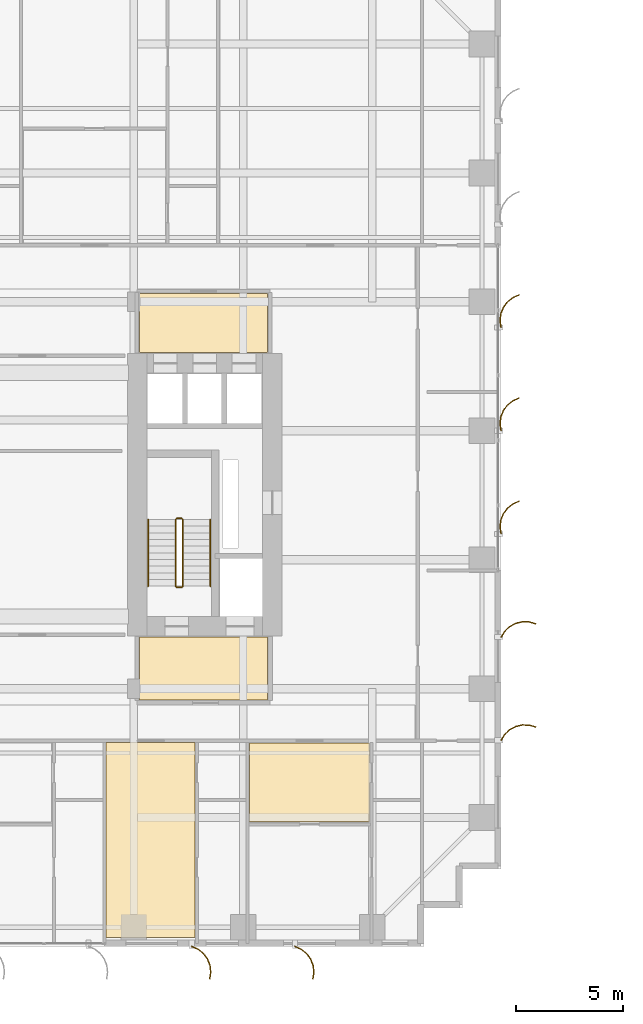
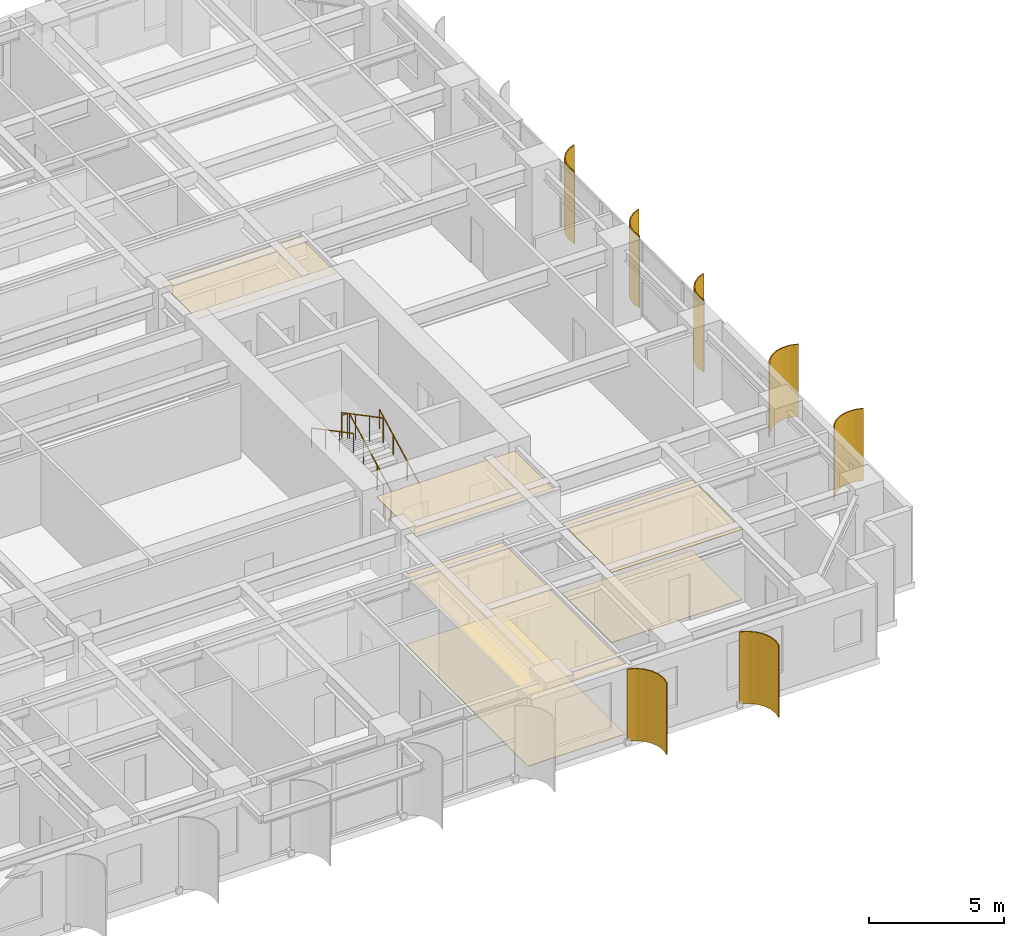
# One storey, part 25 of 26: 7 shading devices, 6 coverings, 6 railings.
"""IFC4 building model written with IfcOpenShell, lengths in metres."""

from ifc_helpers import new_model, si_unit, direction, frame, origin, origin_2d, place, context, subcontext, project, spatial, polyline, circle, outline, extrude, source, transform, mapped, material, layer, layer_set, type_object, element, save


model = new_model("IFC4")

# Units and contexts
model_context = context("Model", 3, precision=1e-05, world=origin(), true_north=direction((0.0, 1.0)))
body_context = subcontext(model_context, "Body", "Model", "MODEL_VIEW")
ifc_project = project(units=[si_unit("LENGTHUNIT", "METRE"), si_unit("AREAUNIT", "SQUARE_METRE"), si_unit("VOLUMEUNIT", "CUBIC_METRE"), si_unit("PLANEANGLEUNIT", "RADIAN"), si_unit("MASSUNIT", "GRAM", prefix="KILO")], contexts=[model_context])

# Site, building, storey
site_placement = place(None, origin())
site = spatial("IfcSite", under=ifc_project, at=site_placement, CompositionType="ELEMENT")
building_placement = place(site_placement, origin())
building = spatial("IfcBuilding", under=site, at=building_placement, Name="Khoralis Quay Care Tower", CompositionType="ELEMENT")
storey_placement = place(building_placement, frame((0.0, 0.0, 26.10009765625)))
storey = spatial("IfcBuildingStorey", under=building, at=storey_placement, Name="L06", CompositionType="ELEMENT", Elevation=26.10009765625)

# Coverings
ifc_material_1 = material(Name="Mineral-fibre acoustic ceiling tile")
ifc_layer_1 = layer(ifc_material_1, 0.01806640625)
ifc_layer_set_1 = layer_set([ifc_layer_1], Name="Mineral-fibre acoustic ceiling tile")
covering_type_1 = type_object("IfcCoveringType", Name="COV-CEIL-AC18", PredefinedType="CEILING", material=ifc_layer_set_1)
covering_1_placement = place(storey_placement, frame((0.0, 0.0, 3.171875)))
element("IfcCovering", 1, at=covering_1_placement, inside=storey, type_object=covering_type_1, Name="Suspended Acoustic Ceiling SP-L06-FFLOB-E", PredefinedType="CEILING", context=body_context, shape_type="SweptSolid", body=[
    extrude(outline(polyline([(31.179931640625, 11.47998046875), (37.1201171875, 11.47998046875), (37.1201171875, 14.39990234375), (31.179931640625, 14.39990234375), (31.179931640625, 11.47998046875)])), origin(), (0.0, 0.0, 1.0), 0.01806640625),
])
covering_2_placement = place(storey_placement, frame((0.0, 0.0, 3.171875)))
element("IfcCovering", 2, at=covering_2_placement, inside=storey, type_object=covering_type_1, Name="Suspended Acoustic Ceiling SP-L06-LLOB-E", PredefinedType="CEILING", context=body_context, shape_type="SweptSolid", body=[
    extrude(outline(polyline([(31.179931640625, 27.64990234375), (37.1201171875, 27.64990234375), (37.1201171875, 30.389892578125), (31.179931640625, 30.389892578125), (31.179931640625, 27.64990234375)])), origin(), (0.0, 0.0, 1.0), 0.01806640625),
])
covering_3_placement = place(storey_placement, frame((0.0, 0.0, 3.171875)))
element("IfcCovering", 3, at=covering_3_placement, inside=storey, type_object=covering_type_1, Name="Suspended Acoustic Ceiling SP-L06-SB-CARE3", PredefinedType="CEILING", context=body_context, shape_type="SweptSolid", body=[
    extrude(outline(polyline([(29.610107421875, 0.419921875), (33.760009765625, 0.419921875), (33.760009765625, 9.5), (29.610107421875, 9.5), (29.610107421875, 0.419921875)])), origin(), (0.0, 0.0, 1.0), 0.01806640625),
])
covering_4_placement = place(storey_placement, frame((0.0, 0.0, 3.171875)))
element("IfcCovering", 4, at=covering_4_placement, inside=storey, type_object=covering_type_1, Name="Suspended Acoustic Ceiling SP-L06-SB-CARE4", PredefinedType="CEILING", context=body_context, shape_type="SweptSolid", body=[
    extrude(outline(polyline([(36.2900390625, 5.7900390625), (41.8701171875, 5.7900390625), (41.8701171875, 9.47998046875), (36.2900390625, 9.47998046875), (36.2900390625, 5.7900390625)])), origin(), (0.0, 0.0, 1.0), 0.01806640625),
])
ifc_material_2 = material(Name="Porcelain and non-slip vinyl flooring")
ifc_layer_2 = layer(ifc_material_2, 0.02001953125)
ifc_layer_set_2 = layer_set([ifc_layer_2], Name="Porcelain and non-slip vinyl flooring")
covering_type_2 = type_object("IfcCoveringType", Name="COV-FLOOR-20", PredefinedType="FLOORING", material=ifc_layer_set_2)
covering_5_placement = place(storey_placement, origin())
element("IfcCovering", 5, at=covering_5_placement, inside=storey, type_object=covering_type_2, Name="Resilient Healthcare Flooring SP-L06-SB-CARE3", PredefinedType="FLOORING", context=body_context, shape_type="SweptSolid", body=[
    extrude(outline(polyline([(29.610107421875, 0.419921875), (33.760009765625, 0.419921875), (33.760009765625, 9.5), (29.610107421875, 9.5), (29.610107421875, 0.419921875)])), origin(), (0.0, 0.0, 1.0), 0.02001953125),
])
covering_6_placement = place(storey_placement, origin())
element("IfcCovering", 6, at=covering_6_placement, inside=storey, type_object=covering_type_2, Name="Resilient Healthcare Flooring SP-L06-SB-CARE4", PredefinedType="FLOORING", context=body_context, shape_type="SweptSolid", body=[
    extrude(outline(polyline([(36.2900390625, 5.7900390625), (41.8701171875, 5.7900390625), (41.8701171875, 9.47998046875), (36.2900390625, 9.47998046875), (36.2900390625, 5.7900390625)])), origin(), (0.0, 0.0, 1.0), 0.02001953125),
])

# Railings
ifc_material_3 = material(Name="Brushed stainless steel", Category="steel")
railing_type_1 = type_object("IfcRailingType", Name="RL-GUARD-1150", PredefinedType="GUARDRAIL", material=ifc_material_3)
railing_1_placement = place(storey_placement, frame((33.18994140625, 16.77001953125, 0.16357421875)))
element("IfcRailing", 7, at=railing_1_placement, inside=storey, type_object=railing_type_1, Name="L06 ST-T2 stair guard 1", PredefinedType="GUARDRAIL", context=body_context, shape_type="SweptSolid", body=[
    extrude(circle(Radius=0.02392578125, at=origin_2d()), frame((0.0, 0.0, 1.1259765625), z_axis=(0.0, 0.884376766648, 0.46677375099), x_axis=(-1.0, 0.0, 0.0)), (0.0, 0.0, 1.0), 3.50537109375),
    extrude(circle(Radius=0.02099609375, at=origin_2d()), origin(), (0.0, 0.0, 1.0), 1.101806640625),
    extrude(circle(Radius=0.02099609375, at=origin_2d()), frame((0.0, 1.033447265625, 0.54541015625)), (0.0, 0.0, 1.0), 1.101806640625),
    extrude(circle(Radius=0.02099609375, at=origin_2d()), frame((0.0, 2.066650390625, 1.0908203125)), (0.0, 0.0, 1.0), 1.101806640625),
    extrude(circle(Radius=0.02099609375, at=origin_2d()), frame((0.0, 3.10009765625, 1.63623046875)), (0.0, 0.0, 1.0), 1.101806640625),
])
railing_2_placement = place(storey_placement, frame((33.139892578125, 19.919921875, 1.7998046875)))
element("IfcRailing", 8, at=railing_2_placement, inside=storey, type_object=railing_type_1, Name="L06 ST-T2 stair guard 2", PredefinedType="GUARDRAIL", context=body_context, shape_type="SweptSolid", body=[
    extrude(circle(Radius=0.02392578125, at=origin_2d()), frame((0.0, 0.0, 1.1259765625), z_axis=(-1.0, 0.0, 0.0), x_axis=(0.0, -1.0, 0.0)), (0.0, 0.0, 1.0), 0.239990234375),
    extrude(circle(Radius=0.02099609375, at=origin_2d()), origin(), (0.0, 0.0, 1.0), 1.101806640625),
    extrude(circle(Radius=0.02099609375, at=origin_2d()), frame((-0.239990234375, 0.0, 0.0)), (0.0, 0.0, 1.0), 1.101806640625),
])
railing_3_placement = place(storey_placement, frame((32.85009765625, 19.8701171875, 1.963623046875)))
element("IfcRailing", 9, at=railing_3_placement, inside=storey, type_object=railing_type_1, Name="L06 ST-T2 stair guard 3", PredefinedType="GUARDRAIL", context=body_context, shape_type="SweptSolid", body=[
    extrude(circle(Radius=0.02392578125, at=origin_2d()), frame((0.0, 0.0, 1.1259765625), z_axis=(0.0, -0.884376766648, 0.46677375099), x_axis=(1.0, 0.0, 0.0)), (0.0, 0.0, 1.0), 3.50537109375),
    extrude(circle(Radius=0.02099609375, at=origin_2d()), origin(), (0.0, 0.0, 1.0), 1.101806640625),
    extrude(circle(Radius=0.02099609375, at=origin_2d()), frame((0.0, -1.033447265625, 0.54541015625)), (0.0, 0.0, 1.0), 1.101806640625),
    extrude(circle(Radius=0.02099609375, at=origin_2d()), frame((0.0, -2.066650390625, 1.0908203125)), (0.0, 0.0, 1.0), 1.101806640625),
    extrude(circle(Radius=0.02099609375, at=origin_2d()), frame((0.0, -3.10009765625, 1.63623046875)), (0.0, 0.0, 1.0), 1.101806640625),
])
railing_4_placement = place(storey_placement, frame((33.139892578125, 16.719970703125, 0.0)))
element("IfcRailing", 10, at=railing_4_placement, inside=storey, type_object=railing_type_1, Name="L06 ST-T2 stair guard 4", PredefinedType="GUARDRAIL", context=body_context, shape_type="SweptSolid", body=[
    extrude(circle(Radius=0.02392578125, at=origin_2d()), frame((0.0, 0.0, 1.1259765625), z_axis=(-1.0, 0.0, 0.0), x_axis=(0.0, -1.0, 0.0)), (0.0, 0.0, 1.0), 0.239990234375),
    extrude(circle(Radius=0.02099609375, at=origin_2d()), origin(), (0.0, 0.0, 1.0), 1.101806640625),
    extrude(circle(Radius=0.02099609375, at=origin_2d()), frame((-0.239990234375, 0.0, 0.0)), (0.0, 0.0, 1.0), 1.101806640625),
])
railing_type_2 = type_object("IfcRailingType", Name="RL-HAND-900", PredefinedType="HANDRAIL", material=ifc_material_3)
railing_5_placement = place(storey_placement, frame((34.469970703125, 16.77001953125, 0.16357421875)))
element("IfcRailing", 11, at=railing_5_placement, inside=storey, type_object=railing_type_2, Name="L06 ST-T2 stair handrail 1", PredefinedType="HANDRAIL", context=body_context, shape_type="SweptSolid", body=[
    extrude(circle(Radius=0.02392578125, at=origin_2d()), frame((0.0, 0.0, 0.8759765625), z_axis=(0.0, 0.884376766648, 0.46677375099), x_axis=(-1.0, 0.0, 0.0)), (0.0, 0.0, 1.0), 3.50537109375),
    extrude(circle(Radius=0.02099609375, at=origin_2d()), origin(), (0.0, 0.0, 1.0), 0.851806640625),
    extrude(circle(Radius=0.02099609375, at=origin_2d()), frame((0.0, 1.033447265625, 0.54541015625)), (0.0, 0.0, 1.0), 0.851806640625),
    extrude(circle(Radius=0.02099609375, at=origin_2d()), frame((0.0, 2.066650390625, 1.0908203125)), (0.0, 0.0, 1.0), 0.851806640625),
    extrude(circle(Radius=0.02099609375, at=origin_2d()), frame((0.0, 3.10009765625, 1.63623046875)), (0.0, 0.0, 1.0), 0.851806640625),
])
railing_6_placement = place(storey_placement, frame((31.570068359375, 19.8701171875, 1.963623046875)))
element("IfcRailing", 12, at=railing_6_placement, inside=storey, type_object=railing_type_2, Name="L06 ST-T2 stair handrail 2", PredefinedType="HANDRAIL", context=body_context, shape_type="SweptSolid", body=[
    extrude(circle(Radius=0.02392578125, at=origin_2d()), frame((0.0, 0.0, 0.8759765625), z_axis=(0.0, -0.884376766648, 0.46677375099), x_axis=(1.0, 0.0, 0.0)), (0.0, 0.0, 1.0), 3.50537109375),
    extrude(circle(Radius=0.02099609375, at=origin_2d()), origin(), (0.0, 0.0, 1.0), 0.851806640625),
    extrude(circle(Radius=0.02099609375, at=origin_2d()), frame((0.0, -1.033447265625, 0.54541015625)), (0.0, 0.0, 1.0), 0.851806640625),
    extrude(circle(Radius=0.02099609375, at=origin_2d()), frame((0.0, -2.066650390625, 1.0908203125)), (0.0, 0.0, 1.0), 0.851806640625),
    extrude(circle(Radius=0.02099609375, at=origin_2d()), frame((0.0, -3.10009765625, 1.63623046875)), (0.0, 0.0, 1.0), 0.851806640625),
])

# Shading devices
ifc_material_4 = material(Name="Brushed pale anodised aluminium", Category="aluminium")
ifc_layer_3 = layer(ifc_material_4, 0.044921875)
ifc_layer_set_3 = layer_set([ifc_layer_3], Name="Brushed pale anodised aluminium")
shading_device_type = type_object("IfcShadingDeviceType", Name="SHD-FIN-1250", PredefinedType="USERDEFINED", material=ifc_layer_set_3)
shared_shape_1 = source(origin(), body_context, "Body", "SweptSolid", [
    extrude(outline(polyline([(0.0, 0.0), (0.130126953125, 0.29931640625), (0.333251953125, 0.5546875), (0.595458984375, 0.748779296875), (0.899169921875, 0.868408203125), (1.223388671875, 0.9052734375), (1.546142578125, 0.85693359375), (1.53369140625, 0.813720703125), (1.22265625, 0.8603515625), (0.91015625, 0.82470703125), (0.617431640625, 0.70947265625), (0.364501953125, 0.522216796875), (0.168701171875, 0.276123046875), (0.043212890625, -0.012451171875), (0.0, 0.0)])), origin(), (0.0, 0.0, 1.0), 3.259765625),
])
for number, where, z_axis, x_axis, name in (
    (13, (33.60009765625, 0.030029296875, 0.02001953125), (0.0, 0.0, 1.0), (0.0, -1.0, 0.0), "L06 Curved Solar Fin P1E0-06"),
    (14, (38.39990234375, 0.030029296875, 0.02001953125), (0.0, 0.0, 1.0), (0.0, -1.0, 0.0), "L06 Curved Solar Fin P1E0-07"),
):
    element("IfcShadingDevice", number, at=place(storey_placement, frame(where, z_axis=z_axis, x_axis=x_axis)), inside=storey, type_object=shading_device_type, Name=name, ObjectType="FIN", PredefinedType="USERDEFINED", context=body_context, shape_type="MappedRepresentation", body=[
        mapped(shared_shape_1, transform((0.0, 0.0, 0.0), scale=1.0)),
    ])
shared_shape_2 = source(origin(), body_context, "Body", "SweptSolid", [
    extrude(outline(polyline([(0.0, 0.0), (0.17041015625, 0.2783203125), (0.4072265625, 0.5029296875), (0.694091796875, 0.658447265625), (1.01123046875, 0.734619140625), (1.33740234375, 0.72607421875), (1.650390625, 0.633544921875), (1.632080078125, 0.59228515625), (1.330322265625, 0.681640625), (1.015869140625, 0.68994140625), (0.710205078125, 0.616455078125), (0.43359375, 0.466552734375), (0.20556640625, 0.25), (0.041015625, -0.018310546875), (0.0, 0.0)])), origin(), (0.0, 0.0, 1.0), 3.259765625),
])
for number, where, z_axis, x_axis, name in (
    (15, (47.969970703125, 9.60009765625, 0.02001953125), (0.0, 0.0, 1.0), (1.0, 0.0, 0.0), "L06 Curved Solar Fin P1E5-01"),
    (16, (47.969970703125, 14.39990234375, 0.02001953125), (0.0, 0.0, 1.0), (1.0, 0.0, 0.0), "L06 Curved Solar Fin P1E5-02"),
):
    element("IfcShadingDevice", number, at=place(storey_placement, frame(where, z_axis=z_axis, x_axis=x_axis)), inside=storey, type_object=shading_device_type, Name=name, ObjectType="FIN", PredefinedType="USERDEFINED", context=body_context, shape_type="MappedRepresentation", body=[
        mapped(shared_shape_2, transform((0.0, 0.0, 0.0), scale=1.0)),
    ])
shared_shape_3 = source(origin(), body_context, "Body", "SweptSolid", [
    extrude(outline(polyline([(0.0, 0.0), (-0.04833984375, 0.32275390625), (-0.01123046875, 0.64697265625), (0.1083984375, 0.950439453125), (0.302490234375, 1.212890625), (0.557861328125, 1.416015625), (0.85693359375, 1.546142578125), (0.869384765625, 1.5029296875), (0.5810546875, 1.37744140625), (0.334716796875, 1.181640625), (0.147705078125, 0.9287109375), (0.032470703125, 0.635986328125), (-0.003173828125, 0.323486328125), (0.043212890625, 0.012451171875), (0.0, 0.0)])), origin(), (0.0, 0.0, 1.0), 3.259765625),
])
for number, where, z_axis, x_axis, name in (
    (17, (47.969970703125, 19.199951171875, 0.02001953125), (0.0, 0.0, 1.0), (1.0, 0.0, 0.0), "L06 Curved Solar Fin P1E5-03"),
    (18, (47.969970703125, 24.0, 0.02001953125), (0.0, 0.0, 1.0), (1.0, 0.0, 0.0), "L06 Curved Solar Fin P1E5-04"),
    (19, (47.969970703125, 28.800048828125, 0.02001953125), (0.0, 0.0, 1.0), (1.0, 0.0, 0.0), "L06 Curved Solar Fin P1E5-05"),
):
    element("IfcShadingDevice", number, at=place(storey_placement, frame(where, z_axis=z_axis, x_axis=x_axis)), inside=storey, type_object=shading_device_type, Name=name, ObjectType="FIN", PredefinedType="USERDEFINED", context=body_context, shape_type="MappedRepresentation", body=[
        mapped(shared_shape_3, transform((0.0, 0.0, 0.0), scale=1.0)),
    ])

save(model, "model.ifc")
